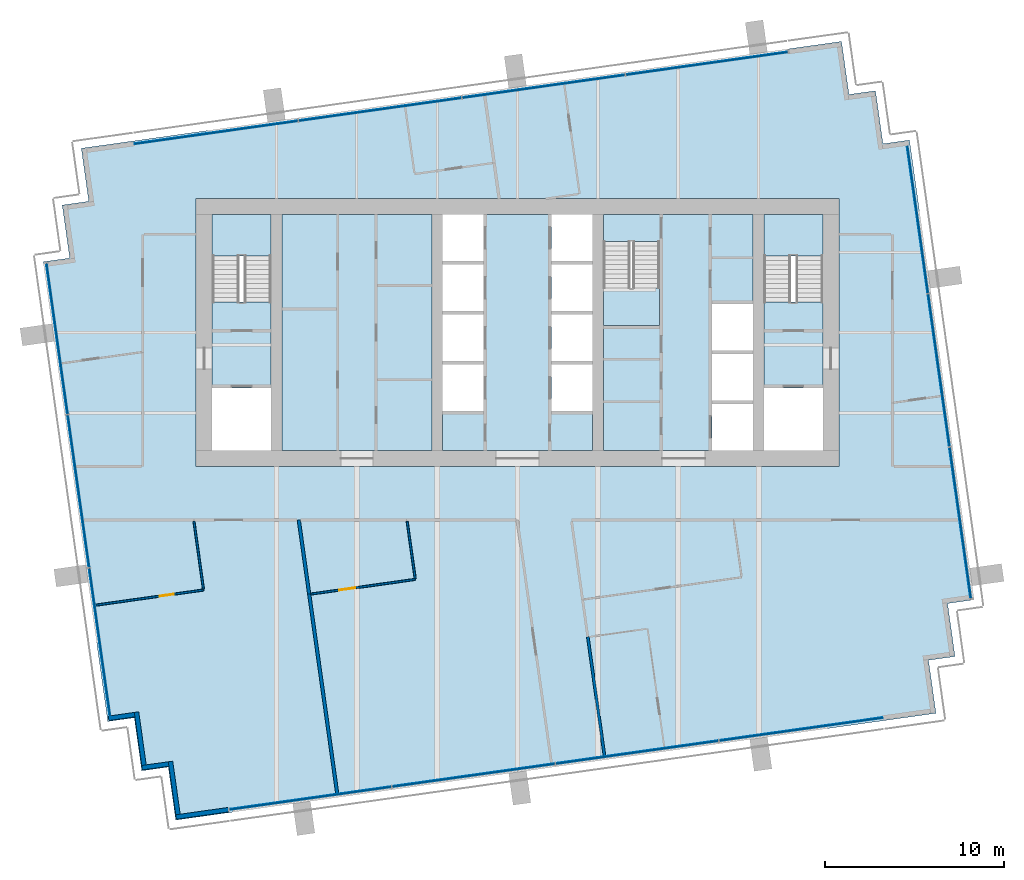
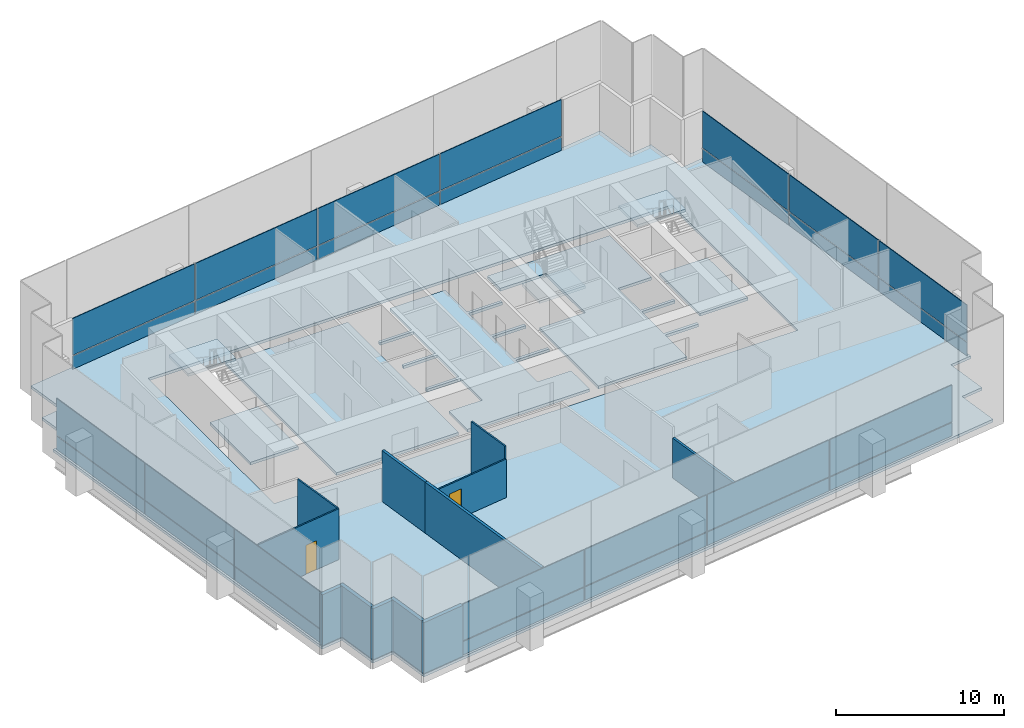
# One storey, part 7 of 15: 28 plates, 12 walls, 9 slabs, 2 doors, 2 openings, 7 elements without a shape of their own.
"""IFC4 building model written with IfcOpenShell, lengths in metres."""

from ifc_helpers import new_model, si_unit, direction, frame, frame_2d, origin, origin_2d, place, context, subcontext, project, spatial, polyline, rectangle, outline, extrude, material, layer, layer_set, type_object, element, fill, aggregate, save


model = new_model("IFC4")

# Units and contexts
model_context = context("Model", 3, precision=1e-05, world=origin(), true_north=direction((0.0, 1.0)))
body_context = subcontext(model_context, "Body", "Model", "MODEL_VIEW")
ifc_project = project(units=[si_unit("LENGTHUNIT", "METRE"), si_unit("AREAUNIT", "SQUARE_METRE"), si_unit("VOLUMEUNIT", "CUBIC_METRE"), si_unit("PLANEANGLEUNIT", "RADIAN"), si_unit("MASSUNIT", "GRAM", prefix="KILO")], contexts=[model_context])

# Site, building, storey
site_placement = place(None, origin())
site = spatial("IfcSite", under=ifc_project, at=site_placement, CompositionType="ELEMENT")
building_placement = place(site_placement, origin())
building = spatial("IfcBuilding", under=site, at=building_placement, Name="Rattan Terrace Tower", CompositionType="ELEMENT")
storey_placement = place(building_placement, frame((0.0, 0.0, 278.5)))
storey = spatial("IfcBuildingStorey", under=building, at=storey_placement, Name="L64", CompositionType="ELEMENT", Elevation=278.5)

# Stair, slab
ifc_material_1 = material(Name="Concrete C40/50", Category="concrete")
stair_type = type_object("IfcStairType", Name="Core exit stair 1500", PredefinedType="HALF_TURN_STAIR", material=ifc_material_1)
stair_1_placement = place(storey_placement, origin())
stair_1 = element("IfcStair", 1, at=stair_1_placement, inside=storey, type_object=stair_type, Name="L64 exit stair 1", PredefinedType="HALF_TURN_STAIR")
ifc_material_2 = material(Name="Concrete C40/50", Category="concrete")
ifc_layer_1 = layer(ifc_material_2, 0.199951171875)
ifc_layer_set_1 = layer_set([ifc_layer_1], Name="Core exit stair landing")
slab_type_1 = type_object("IfcSlabType", Name="Core exit stair landing", PredefinedType="LANDING", material=ifc_layer_set_1)
slab_1_placement = place(storey_placement, frame((0.0, 0.0, 1.75)))
slab_1 = element("IfcSlab", 2, at=slab_1_placement, type_object=slab_type_1, Name="S1 landing 1", PredefinedType="LANDING", context=body_context, shape_type="SweptSolid", body=[
    extrude(outline(polyline([(-13.800048828125, 4.300048828125), (-13.800048828125, 6.60009765625), (-17.10009765625, 6.60009765625), (-17.10009765625, 4.300048828125), (-13.800048828125, 4.300048828125)])), origin(), (0.0, 0.0, 1.0), 0.199951171875),
])
aggregate(stair_1, [slab_1])

stair_2_placement = place(storey_placement, origin())
stair_2 = element("IfcStair", 3, at=stair_2_placement, inside=storey, type_object=stair_type, Name="L64 exit stair 2", PredefinedType="HALF_TURN_STAIR")
slab_2_placement = place(storey_placement, frame((0.0, 0.0, 1.75)))
slab_2 = element("IfcSlab", 4, at=slab_2_placement, type_object=slab_type_1, Name="S2 landing 1", PredefinedType="LANDING", context=body_context, shape_type="SweptSolid", body=[
    extrude(outline(polyline([(17.10009765625, 4.300048828125), (17.10009765625, 6.60009765625), (13.800048828125, 6.60009765625), (13.800048828125, 4.300048828125), (17.10009765625, 4.300048828125)])), origin(), (0.0, 0.0, 1.0), 0.199951171875),
])
aggregate(stair_2, [slab_2])

stair_3_placement = place(storey_placement, origin())
stair_3 = element("IfcStair", 5, at=stair_3_placement, inside=storey, type_object=stair_type, Name="L64 exit stair 3", PredefinedType="HALF_TURN_STAIR")
slab_3_placement = place(storey_placement, frame((0.0, 0.0, 1.75)))
slab_3 = element("IfcSlab", 6, at=slab_3_placement, type_object=slab_type_1, Name="S3 landing 1", PredefinedType="LANDING", context=body_context, shape_type="SweptSolid", body=[
    extrude(outline(polyline([(4.800048828125, 2.5), (4.800048828125, 0.39990234375), (7.949951171875, 0.39990234375), (7.949951171875, 2.5), (4.800048828125, 2.5)])), origin(), (0.0, 0.0, 1.0), 0.199951171875),
])
aggregate(stair_3, [slab_3])

# Slabs
ifc_material_3 = material(Name="Concrete C35/45", Category="concrete")
ifc_layer_2 = layer(ifc_material_3, 0.199951171875)
ifc_layer_set_2 = layer_set([ifc_layer_2], Name="Frame composite floor slab 200")
slab_type_2 = type_object("IfcSlabType", Name="Frame composite floor slab 200", PredefinedType="FLOOR", material=ifc_layer_set_2)
slab_4_placement = place(storey_placement, frame((0.0, 0.0, -0.199951171875)))
element("IfcSlab", 7, at=slab_4_placement, inside=storey, type_object=slab_type_2, Name="Floor slab", PredefinedType="FLOOR", context=body_context, shape_type="SweptSolid", body=[
    extrude(outline(polyline([(-16.176025390625, -26.889892578125), (20.464111328125, -21.739990234375), (23.43505859375, -21.322998046875), (23.01806640625, -18.35205078125), (24.5029296875, -18.14306640625), (24.0849609375, -15.173095703125), (25.571044921875, -14.964111328125), (21.951904296875, 10.782958984375), (20.467041015625, 10.573974609375), (20.049072265625, 13.544921875), (18.56396484375, 13.3369140625), (18.14599609375, 16.306884765625), (15.176025390625, 15.889892578125), (-21.464111328125, 10.739990234375), (-24.43505859375, 10.322998046875), (-24.01806640625, 7.35205078125), (-25.5029296875, 7.14306640625), (-25.0849609375, 4.173095703125), (-26.571044921875, 3.964111328125), (-22.951904296875, -21.782958984375), (-21.467041015625, -21.573974609375), (-21.049072265625, -24.544921875), (-19.56396484375, -24.3369140625), (-19.14599609375, -27.306884765625), (-16.176025390625, -26.889892578125)]), holes=[polyline([(-18.0, -7.5), (18.0, -7.5), (18.0, -6.60009765625), (18.0, 6.60009765625), (18.0, 7.5), (-18.0, 7.5), (-18.0, 6.60009765625), (-18.0, -6.60009765625), (-18.0, -7.5)])]), origin(), (0.0, 0.0, 1.0), 0.199951171875),
])
slab_5_placement = place(storey_placement, frame((0.0, 0.0, -0.199951171875)))
element("IfcSlab", 8, at=slab_5_placement, inside=storey, type_object=slab_type_2, Name="Floor slab", PredefinedType="FLOOR", context=body_context, shape_type="SweptSolid", body=[
    extrude(outline(polyline([(13.199951171875, 6.60009765625), (4.800048828125, 6.60009765625), (4.800048828125, 5.090087890625), (7.949951171875, 5.090087890625), (7.949951171875, 0.39990234375), (4.800048828125, 0.39990234375), (4.800048828125, -6.60009765625), (10.89990234375, -6.60009765625), (10.89990234375, -4.0), (13.199951171875, -4.0), (13.199951171875, -3.800048828125), (10.89990234375, -3.800048828125), (10.89990234375, -1.199951171875), (13.199951171875, -1.199951171875), (13.199951171875, -1.0), (10.89990234375, -1.0), (10.89990234375, 1.60009765625), (13.199951171875, 1.60009765625), (13.199951171875, 6.60009765625)])), origin(), (0.0, 0.0, 1.0), 0.199951171875),
])
slab_6_placement = place(storey_placement, frame((0.0, 0.0, -0.199951171875)))
element("IfcSlab", 9, at=slab_6_placement, inside=storey, type_object=slab_type_2, Name="Floor slab", PredefinedType="FLOOR", context=body_context, shape_type="SweptSolid", body=[
    extrude(outline(polyline([(1.89990234375, 6.60009765625), (-1.89990234375, 6.60009765625), (-1.89990234375, 4.0), (-4.199951171875, 4.0), (-4.199951171875, 3.800048828125), (-1.89990234375, 3.800048828125), (-1.89990234375, 1.199951171875), (-4.199951171875, 1.199951171875), (-4.199951171875, 1.0), (-1.89990234375, 1.0), (-1.89990234375, -1.60009765625), (-4.199951171875, -1.60009765625), (-4.199951171875, -1.800048828125), (-1.89990234375, -1.800048828125), (-1.89990234375, -4.39990234375), (-4.199951171875, -4.39990234375), (-4.199951171875, -6.60009765625), (4.199951171875, -6.60009765625), (4.199951171875, -4.39990234375), (1.89990234375, -4.39990234375), (1.89990234375, -1.800048828125), (4.199951171875, -1.800048828125), (4.199951171875, -1.60009765625), (1.89990234375, -1.60009765625), (1.89990234375, 1.0), (4.199951171875, 1.0), (4.199951171875, 1.199951171875), (1.89990234375, 1.199951171875), (1.89990234375, 3.800048828125), (4.199951171875, 3.800048828125), (4.199951171875, 4.0), (1.89990234375, 4.0), (1.89990234375, 6.60009765625)])), origin(), (0.0, 0.0, 1.0), 0.199951171875),
])
slab_7_placement = place(storey_placement, frame((0.0, 0.0, -0.199951171875)))
element("IfcSlab", 10, at=slab_7_placement, inside=storey, type_object=slab_type_2, Name="Floor slab", PredefinedType="FLOOR", context=body_context, shape_type="SweptSolid", body=[
    extrude(outline(polyline([(-17.10009765625, -3.10009765625), (-13.800048828125, -3.10009765625), (-13.800048828125, 1.7099609375), (-17.10009765625, 1.7099609375), (-17.10009765625, -3.10009765625)])), origin(), (0.0, 0.0, 1.0), 0.199951171875),
])
slab_8_placement = place(storey_placement, frame((0.0, 0.0, -0.199951171875)))
element("IfcSlab", 11, at=slab_8_placement, inside=storey, type_object=slab_type_2, Name="Floor slab", PredefinedType="FLOOR", context=body_context, shape_type="SweptSolid", body=[
    extrude(outline(polyline([(-4.800048828125, -6.60009765625), (-4.800048828125, 6.60009765625), (-13.199951171875, 6.60009765625), (-13.199951171875, -6.60009765625), (-4.800048828125, -6.60009765625)])), origin(), (0.0, 0.0, 1.0), 0.199951171875),
])
slab_9_placement = place(storey_placement, frame((0.0, 0.0, -0.199951171875)))
element("IfcSlab", 12, at=slab_9_placement, inside=storey, type_object=slab_type_2, Name="Floor slab", PredefinedType="FLOOR", context=body_context, shape_type="SweptSolid", body=[
    extrude(outline(polyline([(13.800048828125, -3.10009765625), (17.10009765625, -3.10009765625), (17.10009765625, 1.7099609375), (13.800048828125, 1.7099609375), (13.800048828125, -3.10009765625)])), origin(), (0.0, 0.0, 1.0), 0.199951171875),
])

# Curtain wall, plates
ifc_material_4 = material(Name="Aluminium and laminated glass", Category="aluminium")
ifc_layer_3 = layer(ifc_material_4, 0.199951171875)
ifc_layer_set_3 = layer_set([ifc_layer_3], Name="High-Zone Unitised Curtain Wall")
curtain_wall_type = type_object("IfcCurtainWallType", Name="High-Zone Unitised Curtain Wall", PredefinedType="NOTDEFINED", material=ifc_layer_set_3)
curtain_wall_1_placement = place(storey_placement, origin())
curtain_wall_1 = element("IfcCurtainWall", 13, at=curtain_wall_1_placement, inside=storey, type_object=curtain_wall_type, Name="High-zone curtain wall L64-1", PredefinedType="NOTDEFINED")
ifc_material_5 = material(Name="Aluminium insulated spandrel panel", Category="aluminium")
ifc_layer_4 = layer(ifc_material_5, 0.050048828125)
ifc_layer_set_4 = layer_set([ifc_layer_4], Name="High-Zone CW Spandrel Panel")
plate_type_1 = type_object("IfcPlateType", Name="High-Zone CW Spandrel Panel", PredefinedType="CURTAIN_PANEL", material=ifc_layer_set_4)
plate_1_placement = place(storey_placement, frame((24.7939453125, -10.65673828125, 0.0), z_axis=(0.0, 0.0, 1.0), x_axis=(-0.139191775431, 0.990265444036, 0.0)))
plate_1 = element("IfcPlate", 14, at=plate_1_placement, type_object=plate_type_1, Name="Panel cwl-L64-001.1.1", PredefinedType="CURTAIN_PANEL", context=body_context, shape_type="SweptSolid", body=[
    extrude(rectangle(XDim=8.51708984375, YDim=0.050048828125, at=origin_2d()), origin(), (0.0, 0.0, 1.0), 0.965087890625),
])
plate_2_placement = place(storey_placement, frame((23.593017578125, -2.11376953125, 0.0), z_axis=(0.0, 0.0, 1.0), x_axis=(-0.139191775431, 0.990265444036, 0.0)))
plate_2 = element("IfcPlate", 15, at=plate_2_placement, type_object=plate_type_1, Name="Panel cwl-L64-001.2.1", PredefinedType="CURTAIN_PANEL", context=body_context, shape_type="SweptSolid", body=[
    extrude(rectangle(XDim=8.596923828125, YDim=0.050048828125, at=origin_2d()), origin(), (0.0, 0.0, 1.0), 0.965087890625),
])
plate_3_placement = place(storey_placement, frame((22.40478515625, 6.339599609375, 0.0), z_axis=(0.0, 0.0, 1.0), x_axis=(-0.139191775431, 0.990265444036, 0.0)))
plate_3 = element("IfcPlate", 16, at=plate_3_placement, type_object=plate_type_1, Name="Panel cwl-L64-001.3.1", PredefinedType="CURTAIN_PANEL", context=body_context, shape_type="SweptSolid", body=[
    extrude(rectangle(XDim=8.336181640625, YDim=0.050048828125, at=origin_2d()), origin(), (0.0, 0.0, 1.0), 0.965087890625),
])

curtain_wall_2_placement = place(storey_placement, origin())
curtain_wall_2 = element("IfcCurtainWall", 17, at=curtain_wall_2_placement, inside=storey, type_object=curtain_wall_type, Name="High-zone curtain wall L64-2", PredefinedType="NOTDEFINED")
plate_4_placement = place(storey_placement, frame((10.602783203125, 15.075439453125, 0.0), z_axis=(0.0, 0.0, 1.0), x_axis=(-0.990265894013, -0.139188574079, 0.0)))
plate_4 = element("IfcPlate", 18, at=plate_4_placement, type_object=plate_type_1, Name="Panel cwl-L64-002.1.1", PredefinedType="CURTAIN_PANEL", context=body_context, shape_type="SweptSolid", body=[
    extrude(rectangle(XDim=9.14404296875, YDim=0.050048828125, at=origin_2d()), origin(), (0.0, 0.0, 1.0), 0.965087890625),
])
plate_5_placement = place(storey_placement, frame((1.461181640625, 13.79052734375, 0.0), z_axis=(0.0, 0.0, 1.0), x_axis=(-0.990265894013, -0.139188574079, 0.0)))
plate_5 = element("IfcPlate", 19, at=plate_5_placement, type_object=plate_type_1, Name="Panel cwl-L64-002.2.1", PredefinedType="CURTAIN_PANEL", context=body_context, shape_type="SweptSolid", body=[
    extrude(rectangle(XDim=9.178955078125, YDim=0.050048828125, at=origin_2d()), origin(), (0.0, 0.0, 1.0), 0.965087890625),
])
plate_6_placement = place(storey_placement, frame((-7.69775390625, 12.503173828125, 0.0), z_axis=(0.0, 0.0, 1.0), x_axis=(-0.990265894013, -0.139188574079, 0.0)))
plate_6 = element("IfcPlate", 20, at=plate_6_placement, type_object=plate_type_1, Name="Panel cwl-L64-002.3.1", PredefinedType="CURTAIN_PANEL", context=body_context, shape_type="SweptSolid", body=[
    extrude(rectangle(XDim=9.178955078125, YDim=0.050048828125, at=origin_2d()), origin(), (0.0, 0.0, 1.0), 0.965087890625),
])
plate_7_placement = place(storey_placement, frame((-16.876220703125, 11.213134765625, 0.0), z_axis=(0.0, 0.0, 1.0), x_axis=(-0.990265894013, -0.139188574079, 0.0)))
plate_7 = element("IfcPlate", 21, at=plate_7_placement, type_object=plate_type_1, Name="Panel cwl-L64-002.4.1", PredefinedType="CURTAIN_PANEL", context=body_context, shape_type="SweptSolid", body=[
    extrude(rectangle(XDim=9.21826171875, YDim=0.050048828125, at=origin_2d()), origin(), (0.0, 0.0, 1.0), 0.965087890625),
])

curtain_wall_3_placement = place(storey_placement, origin())
curtain_wall_3 = element("IfcCurtainWall", 22, at=curtain_wall_3_placement, inside=storey, type_object=curtain_wall_type, Name="High-zone curtain wall L64-3", PredefinedType="NOTDEFINED")
plate_8_placement = place(storey_placement, frame((-25.7939453125, -0.34326171875, 0.0), z_axis=(0.0, 0.0, 1.0), x_axis=(0.139191775431, -0.990265444036, 0.0)))
plate_8 = element("IfcPlate", 23, at=plate_8_placement, type_object=plate_type_1, Name="Panel cwl-L64-003.1.1", PredefinedType="CURTAIN_PANEL", context=body_context, shape_type="SweptSolid", body=[
    extrude(rectangle(XDim=8.51708984375, YDim=0.050048828125, at=origin_2d()), origin(), (0.0, 0.0, 1.0), 0.965087890625),
])
plate_9_placement = place(storey_placement, frame((-24.593017578125, -8.88623046875, 0.0), z_axis=(0.0, 0.0, 1.0), x_axis=(0.139191775431, -0.990265444036, 0.0)))
plate_9 = element("IfcPlate", 24, at=plate_9_placement, type_object=plate_type_1, Name="Panel cwl-L64-003.2.1", PredefinedType="CURTAIN_PANEL", context=body_context, shape_type="SweptSolid", body=[
    extrude(rectangle(XDim=8.596923828125, YDim=0.050048828125, at=origin_2d()), origin(), (0.0, 0.0, 1.0), 0.965087890625),
])
plate_10_placement = place(storey_placement, frame((-23.40478515625, -17.339599609375, 0.0), z_axis=(0.0, 0.0, 1.0), x_axis=(0.139191775431, -0.990265444036, 0.0)))
plate_10 = element("IfcPlate", 25, at=plate_10_placement, type_object=plate_type_1, Name="Panel cwl-L64-003.3.1", PredefinedType="CURTAIN_PANEL", context=body_context, shape_type="SweptSolid", body=[
    extrude(rectangle(XDim=8.336181640625, YDim=0.050048828125, at=origin_2d()), origin(), (0.0, 0.0, 1.0), 0.965087890625),
])

curtain_wall_4_placement = place(storey_placement, origin())
curtain_wall_4 = element("IfcCurtainWall", 26, at=curtain_wall_4_placement, inside=storey, type_object=curtain_wall_type, Name="High-zone curtain wall L64-4", PredefinedType="NOTDEFINED")
plate_11_placement = place(storey_placement, frame((-11.602783203125, -26.075439453125, 0.0), z_axis=(0.0, 0.0, 1.0), x_axis=(0.990265894013, 0.139188574079, 0.0)))
plate_11 = element("IfcPlate", 27, at=plate_11_placement, type_object=plate_type_1, Name="Panel cwl-L64-004.1.1", PredefinedType="CURTAIN_PANEL", context=body_context, shape_type="SweptSolid", body=[
    extrude(rectangle(XDim=9.14404296875, YDim=0.050048828125, at=origin_2d()), origin(), (0.0, 0.0, 1.0), 0.965087890625),
])
plate_12_placement = place(storey_placement, frame((-2.461181640625, -24.79052734375, 0.0), z_axis=(0.0, 0.0, 1.0), x_axis=(0.990265894013, 0.139188574079, 0.0)))
plate_12 = element("IfcPlate", 28, at=plate_12_placement, type_object=plate_type_1, Name="Panel cwl-L64-004.2.1", PredefinedType="CURTAIN_PANEL", context=body_context, shape_type="SweptSolid", body=[
    extrude(rectangle(XDim=9.178955078125, YDim=0.050048828125, at=origin_2d()), origin(), (0.0, 0.0, 1.0), 0.965087890625),
])
plate_13_placement = place(storey_placement, frame((6.69775390625, -23.503173828125, 0.0), z_axis=(0.0, 0.0, 1.0), x_axis=(0.990265894013, 0.139188574079, 0.0)))
plate_13 = element("IfcPlate", 29, at=plate_13_placement, type_object=plate_type_1, Name="Panel cwl-L64-004.3.1", PredefinedType="CURTAIN_PANEL", context=body_context, shape_type="SweptSolid", body=[
    extrude(rectangle(XDim=9.178955078125, YDim=0.050048828125, at=origin_2d()), origin(), (0.0, 0.0, 1.0), 0.965087890625),
])
plate_14_placement = place(storey_placement, frame((15.876220703125, -22.213134765625, 0.0), z_axis=(0.0, 0.0, 1.0), x_axis=(0.990265894013, 0.139188574079, 0.0)))
plate_14 = element("IfcPlate", 30, at=plate_14_placement, type_object=plate_type_1, Name="Panel cwl-L64-004.4.1", PredefinedType="CURTAIN_PANEL", context=body_context, shape_type="SweptSolid", body=[
    extrude(rectangle(XDim=9.21826171875, YDim=0.050048828125, at=origin_2d()), origin(), (0.0, 0.0, 1.0), 0.965087890625),
])

# Plate
ifc_material_6 = material(Name="Laminated low-iron glass", Category="glass")
ifc_layer_5 = layer(ifc_material_6, 0.055908203125)
ifc_layer_set_5 = layer_set([ifc_layer_5], Name="High-Zone CW Vision Panel")
plate_type_2 = type_object("IfcPlateType", Name="High-Zone CW Vision Panel", PredefinedType="CURTAIN_PANEL", material=ifc_layer_set_5)
plate_15_placement = place(storey_placement, frame((24.7939453125, -10.65673828125, 1.034912109375), z_axis=(0.0, 0.0, 1.0), x_axis=(-0.139191775431, 0.990265444036, 0.0)))
plate_15 = element("IfcPlate", 31, at=plate_15_placement, type_object=plate_type_2, Name="Panel cwl-L64-001.1.2", PredefinedType="CURTAIN_PANEL", context=body_context, shape_type="SweptSolid", body=[
    extrude(rectangle(XDim=8.51708984375, YDim=0.055908203125, at=origin_2d()), origin(), (0.0, 0.0, 1.0), 2.6650390625),
])

plate_16_placement = place(storey_placement, frame((23.593017578125, -2.11376953125, 1.034912109375), z_axis=(0.0, 0.0, 1.0), x_axis=(-0.139191775431, 0.990265444036, 0.0)))
plate_16 = element("IfcPlate", 32, at=plate_16_placement, type_object=plate_type_2, Name="Panel cwl-L64-001.2.2", PredefinedType="CURTAIN_PANEL", context=body_context, shape_type="SweptSolid", body=[
    extrude(rectangle(XDim=8.596923828125, YDim=0.055908203125, at=origin_2d()), origin(), (0.0, 0.0, 1.0), 2.6650390625),
])

plate_17_placement = place(storey_placement, frame((22.40478515625, 6.339599609375, 1.034912109375), z_axis=(0.0, 0.0, 1.0), x_axis=(-0.139191775431, 0.990265444036, 0.0)))
plate_17 = element("IfcPlate", 33, at=plate_17_placement, type_object=plate_type_2, Name="Panel cwl-L64-001.3.2", PredefinedType="CURTAIN_PANEL", context=body_context, shape_type="SweptSolid", body=[
    extrude(rectangle(XDim=8.336181640625, YDim=0.055908203125, at=origin_2d()), origin(), (0.0, 0.0, 1.0), 2.6650390625),
])

aggregate(curtain_wall_1, [plate_1, plate_15, plate_2, plate_16, plate_3, plate_17])

plate_18_placement = place(storey_placement, frame((10.602783203125, 15.075439453125, 1.034912109375), z_axis=(0.0, 0.0, 1.0), x_axis=(-0.990265894013, -0.139188574079, 0.0)))
plate_18 = element("IfcPlate", 34, at=plate_18_placement, type_object=plate_type_2, Name="Panel cwl-L64-002.1.2", PredefinedType="CURTAIN_PANEL", context=body_context, shape_type="SweptSolid", body=[
    extrude(rectangle(XDim=9.14404296875, YDim=0.055908203125, at=origin_2d()), origin(), (0.0, 0.0, 1.0), 2.6650390625),
])

plate_19_placement = place(storey_placement, frame((1.461181640625, 13.79052734375, 1.034912109375), z_axis=(0.0, 0.0, 1.0), x_axis=(-0.990265894013, -0.139188574079, 0.0)))
plate_19 = element("IfcPlate", 35, at=plate_19_placement, type_object=plate_type_2, Name="Panel cwl-L64-002.2.2", PredefinedType="CURTAIN_PANEL", context=body_context, shape_type="SweptSolid", body=[
    extrude(rectangle(XDim=9.178955078125, YDim=0.055908203125, at=origin_2d()), origin(), (0.0, 0.0, 1.0), 2.6650390625),
])

plate_20_placement = place(storey_placement, frame((-7.69775390625, 12.503173828125, 1.034912109375), z_axis=(0.0, 0.0, 1.0), x_axis=(-0.990265894013, -0.139188574079, 0.0)))
plate_20 = element("IfcPlate", 36, at=plate_20_placement, type_object=plate_type_2, Name="Panel cwl-L64-002.3.2", PredefinedType="CURTAIN_PANEL", context=body_context, shape_type="SweptSolid", body=[
    extrude(rectangle(XDim=9.178955078125, YDim=0.055908203125, at=origin_2d()), origin(), (0.0, 0.0, 1.0), 2.6650390625),
])

plate_21_placement = place(storey_placement, frame((-16.876220703125, 11.213134765625, 1.034912109375), z_axis=(0.0, 0.0, 1.0), x_axis=(-0.990265894013, -0.139188574079, 0.0)))
plate_21 = element("IfcPlate", 37, at=plate_21_placement, type_object=plate_type_2, Name="Panel cwl-L64-002.4.2", PredefinedType="CURTAIN_PANEL", context=body_context, shape_type="SweptSolid", body=[
    extrude(rectangle(XDim=9.21826171875, YDim=0.055908203125, at=origin_2d()), origin(), (0.0, 0.0, 1.0), 2.6650390625),
])

aggregate(curtain_wall_2, [plate_4, plate_18, plate_5, plate_19, plate_6, plate_20, plate_7, plate_21])

plate_22_placement = place(storey_placement, frame((-25.7939453125, -0.34326171875, 1.034912109375), z_axis=(0.0, 0.0, 1.0), x_axis=(0.139191775431, -0.990265444036, 0.0)))
plate_22 = element("IfcPlate", 38, at=plate_22_placement, type_object=plate_type_2, Name="Panel cwl-L64-003.1.2", PredefinedType="CURTAIN_PANEL", context=body_context, shape_type="SweptSolid", body=[
    extrude(rectangle(XDim=8.51708984375, YDim=0.055908203125, at=origin_2d()), origin(), (0.0, 0.0, 1.0), 2.6650390625),
])

plate_23_placement = place(storey_placement, frame((-24.593017578125, -8.88623046875, 1.034912109375), z_axis=(0.0, 0.0, 1.0), x_axis=(0.139191775431, -0.990265444036, 0.0)))
plate_23 = element("IfcPlate", 39, at=plate_23_placement, type_object=plate_type_2, Name="Panel cwl-L64-003.2.2", PredefinedType="CURTAIN_PANEL", context=body_context, shape_type="SweptSolid", body=[
    extrude(rectangle(XDim=8.596923828125, YDim=0.055908203125, at=origin_2d()), origin(), (0.0, 0.0, 1.0), 2.6650390625),
])

plate_24_placement = place(storey_placement, frame((-23.40478515625, -17.339599609375, 1.034912109375), z_axis=(0.0, 0.0, 1.0), x_axis=(0.139191775431, -0.990265444036, 0.0)))
plate_24 = element("IfcPlate", 40, at=plate_24_placement, type_object=plate_type_2, Name="Panel cwl-L64-003.3.2", PredefinedType="CURTAIN_PANEL", context=body_context, shape_type="SweptSolid", body=[
    extrude(rectangle(XDim=8.336181640625, YDim=0.055908203125, at=origin_2d()), origin(), (0.0, 0.0, 1.0), 2.6650390625),
])

aggregate(curtain_wall_3, [plate_8, plate_22, plate_9, plate_23, plate_10, plate_24])

plate_25_placement = place(storey_placement, frame((-11.602783203125, -26.075439453125, 1.034912109375), z_axis=(0.0, 0.0, 1.0), x_axis=(0.990265894013, 0.139188574079, 0.0)))
plate_25 = element("IfcPlate", 41, at=plate_25_placement, type_object=plate_type_2, Name="Panel cwl-L64-004.1.2", PredefinedType="CURTAIN_PANEL", context=body_context, shape_type="SweptSolid", body=[
    extrude(rectangle(XDim=9.14404296875, YDim=0.055908203125, at=origin_2d()), origin(), (0.0, 0.0, 1.0), 2.6650390625),
])

plate_26_placement = place(storey_placement, frame((-2.461181640625, -24.79052734375, 1.034912109375), z_axis=(0.0, 0.0, 1.0), x_axis=(0.990265894013, 0.139188574079, 0.0)))
plate_26 = element("IfcPlate", 42, at=plate_26_placement, type_object=plate_type_2, Name="Panel cwl-L64-004.2.2", PredefinedType="CURTAIN_PANEL", context=body_context, shape_type="SweptSolid", body=[
    extrude(rectangle(XDim=9.178955078125, YDim=0.055908203125, at=origin_2d()), origin(), (0.0, 0.0, 1.0), 2.6650390625),
])

plate_27_placement = place(storey_placement, frame((6.69775390625, -23.503173828125, 1.034912109375), z_axis=(0.0, 0.0, 1.0), x_axis=(0.990265894013, 0.139188574079, 0.0)))
plate_27 = element("IfcPlate", 43, at=plate_27_placement, type_object=plate_type_2, Name="Panel cwl-L64-004.3.2", PredefinedType="CURTAIN_PANEL", context=body_context, shape_type="SweptSolid", body=[
    extrude(rectangle(XDim=9.178955078125, YDim=0.055908203125, at=origin_2d()), origin(), (0.0, 0.0, 1.0), 2.6650390625),
])

plate_28_placement = place(storey_placement, frame((15.876220703125, -22.213134765625, 1.034912109375), z_axis=(0.0, 0.0, 1.0), x_axis=(0.990265894013, 0.139188574079, 0.0)))
plate_28 = element("IfcPlate", 44, at=plate_28_placement, type_object=plate_type_2, Name="Panel cwl-L64-004.4.2", PredefinedType="CURTAIN_PANEL", context=body_context, shape_type="SweptSolid", body=[
    extrude(rectangle(XDim=9.21826171875, YDim=0.055908203125, at=origin_2d()), origin(), (0.0, 0.0, 1.0), 2.6650390625),
])

aggregate(curtain_wall_4, [plate_11, plate_25, plate_12, plate_26, plate_13, plate_27, plate_14, plate_28])

# Walls
ifc_material_7 = material(Name="Insulated aluminium-clad stud wall", Category="aluminium")
ifc_layer_6 = layer(ifc_material_7, 0.25)
ifc_layer_set_6 = layer_set([ifc_layer_6], Name="Facade Riser Wall 250")
wall_type_1 = type_object("IfcWallType", Name="Facade Riser Wall 250", PredefinedType="SOLIDWALL", material=ifc_layer_set_6)
wall_1_placement = place(storey_placement, frame((-22.90625, -21.60498046875, 0.0), z_axis=(0.0, 0.0, 1.0), x_axis=(0.990235520307, 0.13940449893, 0.0)))
element("IfcWall", 45, at=wall_1_placement, inside=storey, type_object=wall_type_1, Name="Riser wall L64-16", PredefinedType="SOLIDWALL", context=body_context, shape_type="SweptSolid", body=[
    extrude(rectangle(XDim=1.474609375, YDim=0.25, at=frame_2d((0.7373046875, 0.0))), origin(), (0.0, 0.0, 1.0), 3.699951171875),
])
wall_2_placement = place(storey_placement, frame((-21.33984375, -21.25830078125, 0.0), z_axis=(0.0, 0.0, 1.0), x_axis=(0.139393225799, -0.990237107263, 0.0)))
element("IfcWall", 46, at=wall_2_placement, inside=storey, type_object=wall_type_1, Name="Riser wall L64-17", PredefinedType="SOLIDWALL", context=body_context, shape_type="SweptSolid", body=[
    extrude(rectangle(XDim=3.000244140625, YDim=0.25, at=frame_2d((1.5, 0.0))), origin(), (0.0, 0.0, 1.0), 3.699951171875),
])
wall_3_placement = place(storey_placement, frame((-21.028076171875, -24.370361328125, 0.0), z_axis=(0.0, 0.0, 1.0), x_axis=(0.990330117064, 0.138730887823, 0.0)))
element("IfcWall", 47, at=wall_3_placement, inside=storey, type_object=wall_type_1, Name="Riser wall L64-18", PredefinedType="SOLIDWALL", context=body_context, shape_type="SweptSolid", body=[
    extrude(rectangle(XDim=1.499267578125, YDim=0.25, at=frame_2d((0.74951171875, 0.0))), origin(), (0.0, 0.0, 1.0), 3.699951171875),
])
wall_4_placement = place(storey_placement, frame((-19.436767578125, -24.021240234375, 0.0), z_axis=(0.0, 0.0, 1.0), x_axis=(0.139358350296, -0.990242015975, 0.0)))
element("IfcWall", 48, at=wall_4_placement, inside=storey, type_object=wall_type_1, Name="Riser wall L64-19", PredefinedType="SOLIDWALL", context=body_context, shape_type="SweptSolid", body=[
    extrude(rectangle(XDim=2.999267578125, YDim=0.25, at=frame_2d((1.49951171875, 0.0))), origin(), (0.0, 0.0, 1.0), 3.699951171875),
])
wall_5_placement = place(storey_placement, frame((-19.125244140625, -27.13232421875, 0.0), z_axis=(0.0, 0.0, 1.0), x_axis=(0.990291981483, 0.139002846771, 0.0)))
element("IfcWall", 49, at=wall_5_placement, inside=storey, type_object=wall_type_1, Name="Riser wall L64-20", PredefinedType="SOLIDWALL", context=body_context, shape_type="SweptSolid", body=[
    extrude(rectangle(XDim=2.9541015625, YDim=0.25, at=frame_2d((1.47705078125, 0.0))), origin(), (0.0, 0.0, 1.0), 3.699951171875),
])
ifc_material_8 = material(Name="Double steel stud acoustic partition, gypsum board, mineral wool, fire rated", Category="steel")
ifc_layer_7 = layer(ifc_material_8, 0.179931640625)
ifc_layer_set_7 = layer_set([ifc_layer_7], Name="Floors Acoustic Party Wall 180")
wall_type_2 = type_object("IfcWallType", Name="Floors Acoustic Party Wall 180", PredefinedType="PARTITIONING", material=ifc_layer_set_7)
wall_6_placement = place(storey_placement, frame((-11.6708984375, -14.638916015625, 0.0), z_axis=(0.0, 0.0, 1.0), x_axis=(0.139162688284, -0.990269532092, 0.0)))
element("IfcWall", 50, at=wall_6_placement, inside=storey, type_object=wall_type_2, Name="pt-L64-021", PredefinedType="PARTITIONING", context=body_context, shape_type="SweptSolid", body=[
    extrude(rectangle(XDim=11.245361328125, YDim=0.179931640625, at=frame_2d((5.62255859375, 0.0))), origin(), (0.0, 0.0, 1.0), 3.699951171875),
])
wall_7_placement = place(storey_placement, frame((-12.2529296875, -10.5, 0.0), z_axis=(0.0, 0.0, 1.0), x_axis=(0.139253936412, -0.990256704695, 0.0)))
element("IfcWall", 51, at=wall_7_placement, inside=storey, type_object=wall_type_2, Name="pt-L64-022", PredefinedType="PARTITIONING", context=body_context, shape_type="SweptSolid", body=[
    extrude(rectangle(XDim=4.1796875, YDim=0.179931640625, at=frame_2d((2.08984375, 0.0))), origin(), (0.0, 0.0, 1.0), 3.699951171875),
])

# Wall, opening, door
ifc_material_9 = material(Name="Gypsum board partition on steel studs", Category="steel")
ifc_layer_8 = layer(ifc_material_9, 0.10009765625)
ifc_layer_set_8 = layer_set([ifc_layer_8], Name="Floors Partition 100")
wall_type_3 = type_object("IfcWallType", Name="Floors Partition 100", PredefinedType="PARTITIONING", material=ifc_layer_set_8)
wall_8_placement = place(storey_placement, frame((-23.60595703125, -15.263916015625, 0.0), z_axis=(0.0, 0.0, 1.0), x_axis=(0.990273701851, 0.139133013418, 0.0)))
wall_8 = element("IfcWall", 52, at=wall_8_placement, inside=storey, type_object=wall_type_3, Name="pt-L64-019", PredefinedType="PARTITIONING", context=body_context, shape_type="SweptSolid", body=[
    extrude(rectangle(XDim=6.080078125, YDim=0.10009765625, at=frame_2d((3.0400390625, 0.0))), origin(), (0.0, 0.0, 1.0), 3.699951171875),
])
opening_1_placement = place(wall_8_placement, frame((3.595947265625, 0.0, 0.0)))
opening_1 = element("IfcOpeningElement", 53, at=opening_1_placement, cuts=wall_8, Name="Opening L64-D101", PredefinedType="OPENING", context=body_context, shape_type="SweptSolid", body=[
    extrude(rectangle(XDim=0.800048828125, YDim=2.10009765625, at=frame_2d((0.39990234375, 1.050048828125))), frame((0.0, 0.060546875, 0.0), z_axis=(0.0, -1.0, 0.0), x_axis=(1.0, 0.0, 0.0)), (0.0, 0.0, 1.0), 0.12109375),
])
ifc_material_10 = material(Name="Solid core timber door, painted", Category="wood")
door_type_1 = type_object("IfcDoorType", Name="Floors Store Door 800x2100", OperationType="NOTDEFINED", PredefinedType="DOOR", material=ifc_material_10)
door_1_placement = place(opening_1_placement, origin())
door_1 = element("IfcDoor", 54, at=door_1_placement, inside=storey, type_object=door_type_1, Name="d-L64-101", OperationType="SINGLE_SWING_RIGHT", OverallHeight=2.10009765625, OverallWidth=0.800048828125, PredefinedType="DOOR", context=body_context, shape_type="SweptSolid", body=[
    extrude(rectangle(XDim=0.800048828125, YDim=2.10009765625, at=frame_2d((0.39990234375, 1.050048828125))), frame((0.0, 0.02490234375, 0.0), z_axis=(0.0, -1.0, 0.0), x_axis=(1.0, 0.0, 0.0)), (0.0, 0.0, 1.0), 0.050048828125),
])
fill(opening_1, door_1)

# Wall
wall_9_placement = place(storey_placement, frame((-17.592041015625, -14.367919921875, 0.0), z_axis=(0.0, 0.0, 1.0), x_axis=(-0.139149544216, 0.99027137914, 0.0)))
element("IfcWall", 55, at=wall_9_placement, inside=storey, type_object=wall_type_3, Name="pt-L64-020", PredefinedType="PARTITIONING", context=body_context, shape_type="SweptSolid", body=[
    extrude(rectangle(XDim=3.837158203125, YDim=0.10009765625, at=frame_2d((1.91845703125, 0.0))), origin(), (0.0, 0.0, 1.0), 3.699951171875),
])

# Wall, opening, door
wall_10_placement = place(storey_placement, frame((-11.5791015625, -14.64697265625, 0.0), z_axis=(0.0, 0.0, 1.0), x_axis=(0.990255332606, 0.139263693209, 0.0)))
wall_10 = element("IfcWall", 56, at=wall_10_placement, inside=storey, type_object=wall_type_3, Name="pt-L64-023", PredefinedType="PARTITIONING", context=body_context, shape_type="SweptSolid", body=[
    extrude(rectangle(XDim=5.90966796875, YDim=0.10009765625, at=frame_2d((2.954833984375, 0.0))), origin(), (0.0, 0.0, 1.0), 2.800048828125),
])
opening_2_placement = place(wall_10_placement, frame((1.60302734375, 0.0, 0.0)))
opening_2 = element("IfcOpeningElement", 57, at=opening_2_placement, cuts=wall_10, Name="Opening L64-D103", PredefinedType="OPENING", context=body_context, shape_type="SweptSolid", body=[
    extrude(rectangle(XDim=0.89990234375, YDim=2.10009765625, at=frame_2d((0.449951171875, 1.050048828125))), frame((0.0, 0.060546875, 0.0), z_axis=(0.0, -1.0, 0.0), x_axis=(1.0, 0.0, 0.0)), (0.0, 0.0, 1.0), 0.12109375),
])
ifc_material_11 = material(Name="Solid core timber door, painted", Category="wood")
door_type_2 = type_object("IfcDoorType", Name="Floors Door 900x2100", OperationType="NOTDEFINED", PredefinedType="DOOR", material=ifc_material_11)
door_2_placement = place(opening_2_placement, origin())
door_2 = element("IfcDoor", 58, at=door_2_placement, inside=storey, type_object=door_type_2, Name="d-L64-103", OperationType="SINGLE_SWING_LEFT", OverallHeight=2.10009765625, OverallWidth=0.89990234375, PredefinedType="DOOR", context=body_context, shape_type="SweptSolid", body=[
    extrude(rectangle(XDim=0.89990234375, YDim=2.10009765625, at=frame_2d((0.449951171875, 1.050048828125))), frame((0.0, 0.02490234375, 0.0), z_axis=(0.0, -1.0, 0.0), x_axis=(1.0, 0.0, 0.0)), (0.0, 0.0, 1.0), 0.050048828125),
])
fill(opening_2, door_2)

# Walls
wall_11_placement = place(storey_placement, frame((-5.73388671875, -13.77392578125, 0.0), z_axis=(0.0, 0.0, 1.0), x_axis=(-0.139066479304, 0.990283047585, 0.0)))
element("IfcWall", 59, at=wall_11_placement, inside=storey, type_object=wall_type_3, Name="pt-L64-024", PredefinedType="PARTITIONING", context=body_context, shape_type="SweptSolid", body=[
    extrude(rectangle(XDim=3.2373046875, YDim=0.10009765625, at=frame_2d((1.61865234375, 0.0))), origin(), (0.0, 0.0, 1.0), 3.699951171875),
])
ifc_material_12 = material(Name="Gypsum board partition on steel studs, fire rated", Category="steel")
ifc_layer_9 = layer(ifc_material_12, 0.14990234375)
ifc_layer_set_9 = layer_set([ifc_layer_9], Name="Floors Tenancy Wall 150")
wall_type_4 = type_object("IfcWallType", Name="Floors Tenancy Wall 150", PredefinedType="PARTITIONING", material=ifc_layer_set_9)
wall_12_placement = place(storey_placement, frame((3.93310546875, -17.035888671875, 0.0), z_axis=(0.0, 0.0, 1.0), x_axis=(0.13910462383, -0.99027769016, 0.0)))
element("IfcWall", 60, at=wall_12_placement, inside=storey, type_object=wall_type_4, Name="pt-L64-008", PredefinedType="PARTITIONING", context=body_context, shape_type="SweptSolid", body=[
    extrude(rectangle(XDim=6.69921875, YDim=0.14990234375, at=frame_2d((3.349609375, 0.0))), origin(), (0.0, 0.0, 1.0), 2.89990234375),
])

save(model, "model.ifc")
